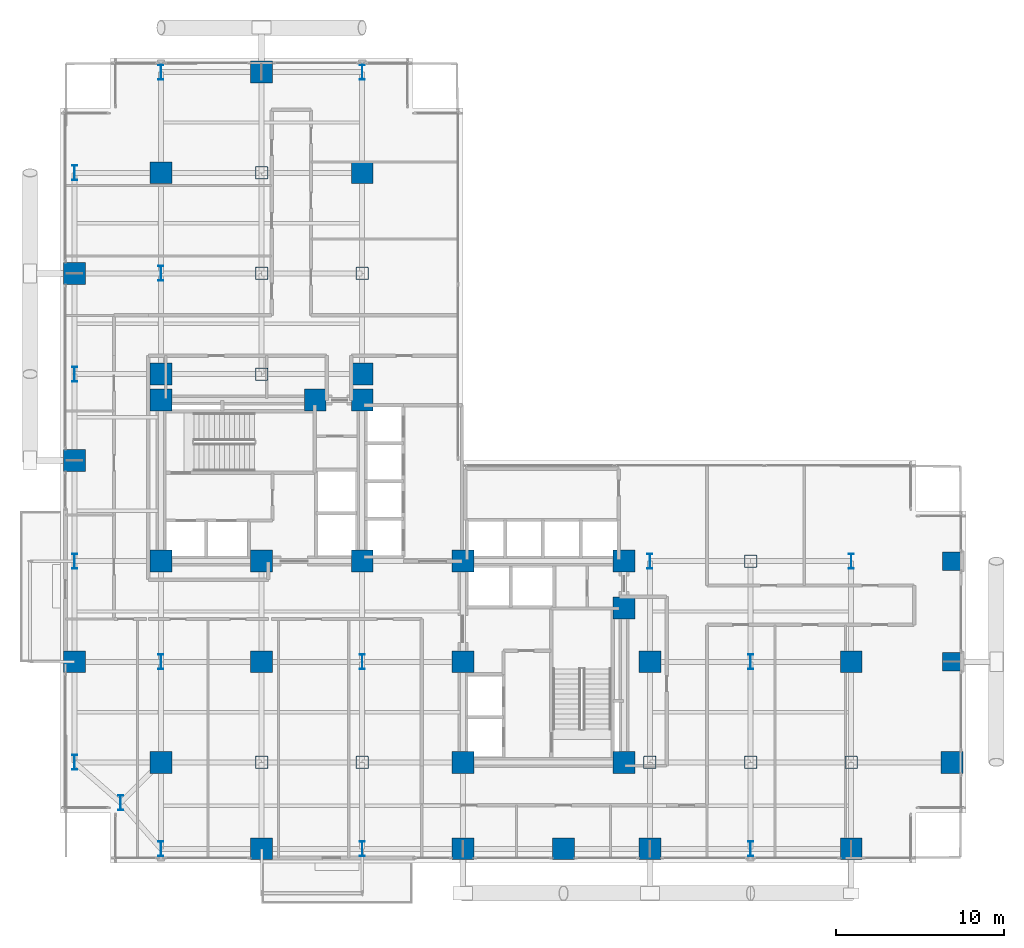
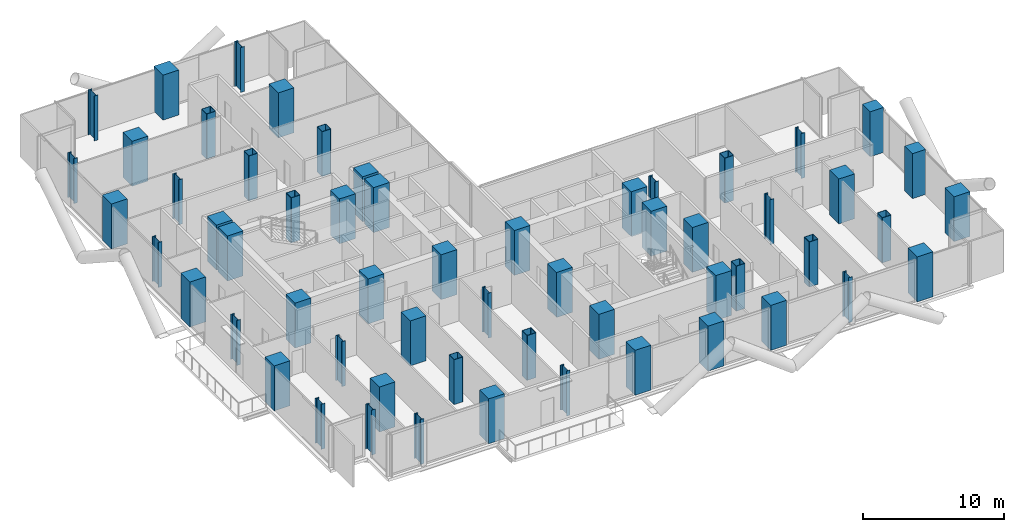
# One storey, part 1 of 25: 58 columns.
"""IFC4 building model written with IfcOpenShell, lengths in metres."""

from ifc_helpers import new_model, si_unit, direction, frame, origin, origin_2d, place, context, subcontext, project, spatial, rectangle, hollow_rectangle, i_section, extrude, material, material_profile, profile_set, type_object, element, save


model = new_model("IFC4")

# Units and contexts
model_context = context("Model", 3, precision=1e-05, world=origin(), true_north=direction((0.0, 1.0)))
body_context = subcontext(model_context, "Body", "Model", "MODEL_VIEW")
ifc_project = project(units=[si_unit("LENGTHUNIT", "METRE"), si_unit("AREAUNIT", "SQUARE_METRE"), si_unit("VOLUMEUNIT", "CUBIC_METRE"), si_unit("PLANEANGLEUNIT", "RADIAN"), si_unit("MASSUNIT", "GRAM", prefix="KILO"), si_unit("THERMODYNAMICTEMPERATUREUNIT", "KELVIN"), si_unit("POWERUNIT", "WATT")], contexts=[model_context])

# Site, building, storey
site_placement = place(None, origin())
site = spatial("IfcSite", under=ifc_project, at=site_placement, CompositionType="ELEMENT")
building_placement = place(site_placement, origin())
building = spatial("IfcBuilding", under=site, at=building_placement, Name="Svarakhadi Broadcast Tower", CompositionType="ELEMENT")
storey_placement = place(building_placement, frame((0.0, 0.0, 51.89990234375)))
storey = spatial("IfcBuildingStorey", under=building, at=storey_placement, Name="L11", CompositionType="ELEMENT", Elevation=51.89990234375)

# Columns
ifc_material_1 = material(Name="Steel S460ML (IS 2062 E450BR)", Category="steel")
ifc_material_profile_1 = material_profile(ifc_material_1, hollow_rectangle(XDim=0.75, YDim=0.75, WallThickness=0.034912109375, InnerFilletRadius=0.034912109375, OuterFilletRadius=0.050048828125, at=origin_2d()), Name="BOX 750x750x35")
ifc_profile_set_1 = profile_set([ifc_material_profile_1], Name="Steel S460ML (IS 2062 E450BR)")
column_type_1 = type_object("IfcColumnType", Name="Col_BOX750", PredefinedType="COLUMN", material=ifc_profile_set_1)
for number, where, z_axis, x_axis, name in (
    (1, (12.0, 6.0, 0.0), (0.0, 0.0, 1.0), (1.0, 0.0, 0.0), "L11 Column G19"),
    (2, (12.0, 29.14990234375, 0.0), (0.0, 0.0, 1.0), (1.0, 0.0, 0.0), "L11 Column G21"),
    (3, (12.0, 35.14990234375, 0.0), (0.0, 0.0, 1.0), (1.0, 0.0, 0.0), "L11 Column G22"),
    (4, (12.0, 41.14990234375, 0.0), (0.0, 0.0, 1.0), (1.0, 0.0, 0.0), "L11 Column G23"),
    (5, (18.0, 6.0, 0.0), (0.0, 0.0, 1.0), (1.0, 0.0, 0.0), "L11 Column G26"),
    (6, (18.0, 35.14990234375, 0.0), (0.0, 0.0, 1.0), (1.0, 0.0, 0.0), "L11 Column G29"),
    (7, (35.14990234375, 6.0, 0.0), (0.0, 0.0, 1.0), (1.0, 0.0, 0.0), "L11 Column G39"),
    (8, (41.14990234375, 6.0, 0.0), (0.0, 0.0, 1.0), (1.0, 0.0, 0.0), "L11 Column G44"),
    (9, (41.14990234375, 18.0, 0.0), (0.0, 0.0, 1.0), (1.0, 0.0, 0.0), "L11 Column G46"),
    (10, (47.14990234375, 6.0, 0.0), (0.0, 0.0, 1.0), (1.0, 0.0, 0.0), "L11 Column G51"),
):
    element("IfcColumn", number, at=place(storey_placement, frame(where, z_axis=z_axis, x_axis=x_axis)), inside=storey, type_object=column_type_1, Name=name, PredefinedType="COLUMN", context=body_context, shape_type="SweptSolid", body=[
        extrude(hollow_rectangle(XDim=0.75, YDim=0.75, WallThickness=0.034912109375, InnerFilletRadius=0.034912109375, OuterFilletRadius=0.050048828125, at=origin_2d()), origin(), (0.0, 0.0, 1.0), 3.900146484375),
    ])
ifc_material_2 = material(Name="Concrete C50/60 (IS 456 M60)", Category="concrete")
ifc_material_profile_2 = material_profile(ifc_material_2, rectangle(XDim=1.10009765625, YDim=1.10009765625, at=origin_2d()), Name="RC 1100x1100")
ifc_profile_set_2 = profile_set([ifc_material_profile_2], Name="Concrete C50/60 (IS 456 M60)")
column_type_2 = type_object("IfcColumnType", Name="Col_RC1100", PredefinedType="COLUMN", material=ifc_profile_set_2)
for number, where, z_axis, x_axis, name in (
    (11, (53.14990234375, 12.0, 0.0), (0.0, 0.0, 1.0), (1.0, 0.0, 0.0), "L11 Zone-1 East Stack Column ZT02"),
    (12, (53.14990234375, 18.0, 0.0), (0.0, 0.0, 1.0), (1.0, 0.0, 0.0), "L11 Zone-1 East Stack Column ZT03"),
):
    element("IfcColumn", number, at=place(storey_placement, frame(where, z_axis=z_axis, x_axis=x_axis)), inside=storey, type_object=column_type_2, Name=name, PredefinedType="COLUMN", context=body_context, shape_type="SweptSolid", body=[
        extrude(rectangle(XDim=1.10009765625, YDim=1.10009765625, at=origin_2d()), origin(), (0.0, 0.0, 1.0), 3.900146484375),
    ])
ifc_material_3 = material(Name="Concrete C60/75 (IS 456 M70)", Category="concrete")
ifc_material_profile_3 = material_profile(ifc_material_3, rectangle(XDim=1.300048828125, YDim=1.300048828125, at=origin_2d()), Name="RC 1300x1300")
ifc_profile_set_3 = profile_set([ifc_material_profile_3], Name="Concrete C60/75 (IS 456 M70)")
column_type_3 = type_object("IfcColumnType", Name="Col_RC1300", PredefinedType="COLUMN", material=ifc_profile_set_3)
for number, where, z_axis, x_axis, name in (
    (13, (6.0, 18.0, 0.0), (0.0, 0.0, 1.0), (1.0, 0.0, 0.0), "L11 Column CW1"),
    (14, (12.0, 18.0, 0.0), (0.0, 0.0, 1.0), (1.0, 0.0, 0.0), "L11 Column CW2"),
    (15, (18.0, 18.0, 0.0), (0.0, 0.0, 1.0), (1.0, 0.0, 0.0), "L11 Column CW3"),
    (16, (6.0, 27.60009765625, 0.0), (0.0, 0.0, 1.0), (1.0, 0.0, 0.0), "L11 Column CW4"),
    (17, (15.199951171875, 27.60009765625, 0.0), (0.0, 0.0, 1.0), (1.0, 0.0, 0.0), "L11 Column CW5"),
    (18, (18.0, 27.60009765625, 0.0), (0.0, 0.0, 1.0), (1.0, 0.0, 0.0), "L11 Column CW6"),
    (19, (24.0, 6.0, 0.0), (0.0, 0.0, 1.0), (1.0, 0.0, 0.0), "L11 Column CE1"),
    (20, (24.0, 12.0, 0.0), (0.0, 0.0, 1.0), (1.0, 0.0, 0.0), "L11 Column CE2"),
    (21, (24.0, 18.0, 0.0), (0.0, 0.0, 1.0), (1.0, 0.0, 0.0), "L11 Column CE3"),
    (22, (33.60009765625, 6.0, 0.0), (0.0, 0.0, 1.0), (1.0, 0.0, 0.0), "L11 Column CE4"),
    (23, (33.60009765625, 15.199951171875, 0.0), (0.0, 0.0, 1.0), (1.0, 0.0, 0.0), "L11 Column CE5"),
    (24, (33.60009765625, 18.0, 0.0), (0.0, 0.0, 1.0), (1.0, 0.0, 0.0), "L11 Column CE6"),
    (25, (0.85009765625, 12.0, 0.0), (0.0, 0.0, 1.0), (1.0, 0.0, 0.0), "L11 Column G04"),
    (26, (0.85009765625, 24.0, 0.0), (0.0, 0.0, 1.0), (1.0, 0.0, 0.0), "L11 Column G06"),
    (27, (0.85009765625, 35.14990234375, 0.0), (0.0, 0.0, 1.0), (1.0, 0.0, 0.0), "L11 Column G08"),
    (28, (6.0, 6.0, 0.0), (0.0, 0.0, 1.0), (1.0, 0.0, 0.0), "L11 Column G12"),
    (29, (6.0, 29.14990234375, 0.0), (0.0, 0.0, 1.0), (1.0, 0.0, 0.0), "L11 Column G14"),
    (30, (6.0, 41.14990234375, 0.0), (0.0, 0.0, 1.0), (1.0, 0.0, 0.0), "L11 Column G16"),
    (31, (12.0, 0.85009765625, 0.0), (0.0, 0.0, 1.0), (1.0, 0.0, 0.0), "L11 Column G18"),
    (32, (12.0, 12.0, 0.0), (0.0, 0.0, 1.0), (1.0, 0.0, 0.0), "L11 Column G20"),
    (33, (12.0, 47.14990234375, 0.0), (0.0, 0.0, 1.0), (1.0, 0.0, 0.0), "L11 Column G24"),
    (34, (18.0, 29.14990234375, 0.0), (0.0, 0.0, 1.0), (1.0, 0.0, 0.0), "L11 Column G28"),
    (35, (18.0, 41.14990234375, 0.0), (0.0, 0.0, 1.0), (1.0, 0.0, 0.0), "L11 Column G30"),
    (36, (24.0, 0.85009765625, 0.0), (0.0, 0.0, 1.0), (1.0, 0.0, 0.0), "L11 Column G32"),
    (37, (30.0, 0.85009765625, 0.0), (0.0, 0.0, 1.0), (1.0, 0.0, 0.0), "L11 Column G36"),
    (38, (35.14990234375, 0.85009765625, 0.0), (0.0, 0.0, 1.0), (1.0, 0.0, 0.0), "L11 Column G38"),
    (39, (35.14990234375, 12.0, 0.0), (0.0, 0.0, 1.0), (1.0, 0.0, 0.0), "L11 Column G40"),
    (40, (47.14990234375, 0.85009765625, 0.0), (0.0, 0.0, 1.0), (1.0, 0.0, 0.0), "L11 Column G50"),
    (41, (47.14990234375, 12.0, 0.0), (0.0, 0.0, 1.0), (1.0, 0.0, 0.0), "L11 Column G52"),
    (42, (53.14990234375, 6.0, 0.0), (0.0, 0.0, 1.0), (1.0, 0.0, 0.0), "L11 Column G58"),
):
    element("IfcColumn", number, at=place(storey_placement, frame(where, z_axis=z_axis, x_axis=x_axis)), inside=storey, type_object=column_type_3, Name=name, PredefinedType="COLUMN", context=body_context, shape_type="SweptSolid", body=[
        extrude(rectangle(XDim=1.300048828125, YDim=1.300048828125, at=origin_2d()), origin(), (0.0, 0.0, 1.0), 3.900146484375),
    ])
ifc_material_profile_4 = material_profile(ifc_material_1, i_section(OverallWidth=0.300048828125, OverallDepth=0.89990234375, WebThickness=0.0185546875, FlangeThickness=0.034912109375, FilletRadius=0.030029296875, at=origin_2d()), Name="WPB 900x300x291")
ifc_profile_set_4 = profile_set([ifc_material_profile_4], Name="Steel S460ML (IS 2062 E450BR)")
column_type_4 = type_object("IfcColumnType", Name="Col_WPB900", PredefinedType="COLUMN", material=ifc_profile_set_4)
for number, where, z_axis, x_axis, name in (
    (43, (3.60009765625, 3.60009765625, 0.0), (0.0, 0.0, 1.0), (1.0, 0.0, 0.0), "L11 Column G01"),
    (44, (0.85009765625, 6.0, 0.0), (0.0, 0.0, 1.0), (1.0, 0.0, 0.0), "L11 Column G03"),
    (45, (0.85009765625, 18.0, 0.0), (0.0, 0.0, 1.0), (1.0, 0.0, 0.0), "L11 Column G05"),
    (46, (0.85009765625, 29.14990234375, 0.0), (0.0, 0.0, 1.0), (1.0, 0.0, 0.0), "L11 Column G07"),
    (47, (0.85009765625, 41.14990234375, 0.0), (0.0, 0.0, 1.0), (1.0, 0.0, 0.0), "L11 Column G09"),
    (48, (6.0, 0.85009765625, 0.0), (0.0, 0.0, 1.0), (1.0, 0.0, 0.0), "L11 Column G11"),
    (49, (6.0, 12.0, 0.0), (0.0, 0.0, 1.0), (1.0, 0.0, 0.0), "L11 Column G13"),
    (50, (6.0, 35.14990234375, 0.0), (0.0, 0.0, 1.0), (1.0, 0.0, 0.0), "L11 Column G15"),
    (51, (6.0, 47.14990234375, 0.0), (0.0, 0.0, 1.0), (1.0, 0.0, 0.0), "L11 Column G17"),
    (52, (18.0, 0.85009765625, 0.0), (0.0, 0.0, 1.0), (1.0, 0.0, 0.0), "L11 Column G25"),
    (53, (18.0, 12.0, 0.0), (0.0, 0.0, 1.0), (1.0, 0.0, 0.0), "L11 Column G27"),
    (54, (18.0, 47.14990234375, 0.0), (0.0, 0.0, 1.0), (1.0, 0.0, 0.0), "L11 Column G31"),
    (55, (35.14990234375, 18.0, 0.0), (0.0, 0.0, 1.0), (1.0, 0.0, 0.0), "L11 Column G41"),
    (56, (41.14990234375, 0.85009765625, 0.0), (0.0, 0.0, 1.0), (1.0, 0.0, 0.0), "L11 Column G43"),
    (57, (41.14990234375, 12.0, 0.0), (0.0, 0.0, 1.0), (1.0, 0.0, 0.0), "L11 Column G45"),
    (58, (47.14990234375, 18.0, 0.0), (0.0, 0.0, 1.0), (1.0, 0.0, 0.0), "L11 Column G53"),
):
    element("IfcColumn", number, at=place(storey_placement, frame(where, z_axis=z_axis, x_axis=x_axis)), inside=storey, type_object=column_type_4, Name=name, PredefinedType="COLUMN", context=body_context, shape_type="SweptSolid", body=[
        extrude(i_section(OverallWidth=0.300048828125, OverallDepth=0.89990234375, WebThickness=0.0185546875, FlangeThickness=0.034912109375, FilletRadius=0.030029296875, at=origin_2d()), origin(), (0.0, 0.0, 1.0), 3.900146484375),
    ])

save(model, "model.ifc")
